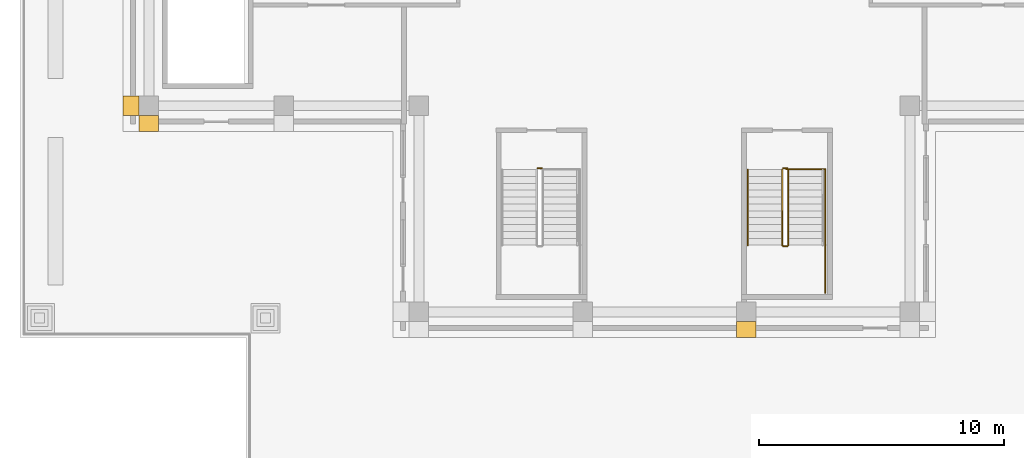
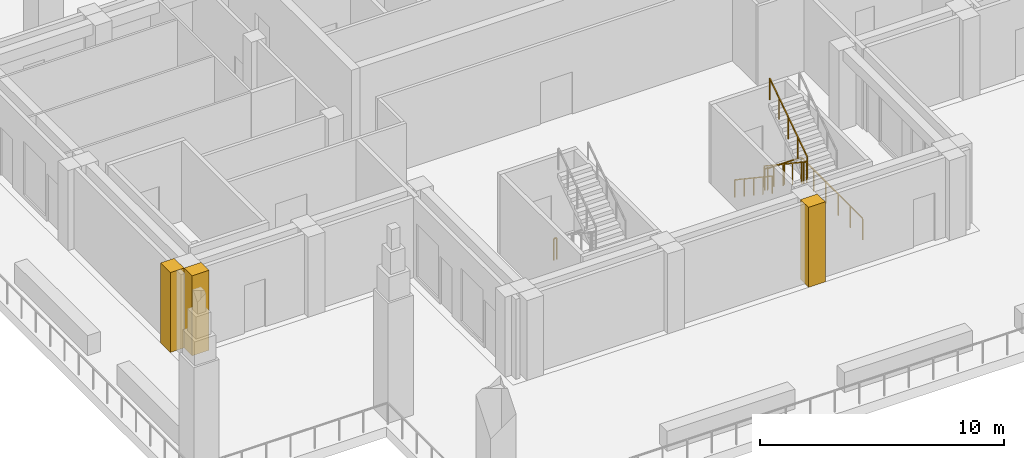
# One storey, part 7 of 10: 6 railings, 3 coverings.
"""IFC4 building model written with IfcOpenShell, lengths in metres."""

from ifc_helpers import new_model, si_unit, direction, frame, origin, origin_2d, place, context, subcontext, project, spatial, polyline, rectangle, outline, extrude, material, type_object, element, save


model = new_model("IFC4")

# Units and contexts
model_context = context("Model", 3, precision=1e-05, world=origin(), true_north=direction((0.0, 1.0)))
body_context = subcontext(model_context, "Body", "Model", "MODEL_VIEW")
ifc_project = project(units=[si_unit("LENGTHUNIT", "METRE"), si_unit("AREAUNIT", "SQUARE_METRE"), si_unit("VOLUMEUNIT", "CUBIC_METRE"), si_unit("PLANEANGLEUNIT", "RADIAN"), si_unit("MASSUNIT", "GRAM", prefix="KILO")], contexts=[model_context])

# Site, building, storey
site_placement = place(None, origin())
site = spatial("IfcSite", under=ifc_project, at=site_placement, CompositionType="ELEMENT")
building_placement = place(site_placement, origin())
building = spatial("IfcBuilding", under=site, at=building_placement, Name="Vermilion Ogive Tower", CompositionType="ELEMENT")
storey_placement = place(building_placement, frame((0.0, 0.0, 269.35009765625)))
storey = spatial("IfcBuildingStorey", under=building, at=storey_placement, Name="L71", CompositionType="ELEMENT", Elevation=269.35009765625)

# Railings
ifc_material_1 = material(Name="Steel S355 painted", Category="steel")
railing_type_1 = type_object("IfcRailingType", Name="Stair guard 1100", PredefinedType="GUARDRAIL", material=ifc_material_1)
railing_1_placement = place(storey_placement, frame((4.800048828125, -6.800048828125, 0.1875)))
element("IfcRailing", 1, at=railing_1_placement, inside=storey, type_object=railing_type_1, Name="L71 ST6 stair guard 1", PredefinedType="GUARDRAIL", context=body_context, shape_type="SweptSolid", body=[
    extrude(rectangle(XDim=0.048095703125, YDim=0.048095703125, at=origin_2d()), frame((0.0, 0.0, 1.076171875), z_axis=(0.0, -0.830893310487, 0.556431762742), x_axis=(1.0, 0.0, 0.0)), (0.0, 0.0, 1.0), 3.70654296875),
    extrude(rectangle(XDim=0.048095703125, YDim=0.048095703125, at=origin_2d()), frame((0.0, -3.079833984375, 3.138671875), z_axis=(0.707106781187, -0.707106781187, 0.0), x_axis=(0.707106781187, 0.707106781187, 0.0)), (0.0, 0.0, 1.0), 0.07080078125),
    extrude(rectangle(XDim=0.048095703125, YDim=0.048095703125, at=origin_2d()), frame((0.050048828125, -3.1298828125, 3.138671875), z_axis=(1.0, 0.0, 0.0), x_axis=(0.0, 1.0, 0.0)), (0.0, 0.0, 1.0), 0.14990234375),
    extrude(rectangle(XDim=0.0419921875, YDim=0.0419921875, at=origin_2d()), origin(), (0.0, 0.0, 1.0), 1.052001953125),
    extrude(rectangle(XDim=0.0419921875, YDim=0.0419921875, at=origin_2d()), frame((0.0, -0.77001953125, 0.515625)), (0.0, 0.0, 1.0), 1.052001953125),
    extrude(rectangle(XDim=0.0419921875, YDim=0.0419921875, at=origin_2d()), frame((0.0, -1.5400390625, 1.03125)), (0.0, 0.0, 1.0), 1.052001953125),
    extrude(rectangle(XDim=0.0419921875, YDim=0.0419921875, at=origin_2d()), frame((0.0, -2.309814453125, 1.546875)), (0.0, 0.0, 1.0), 1.052001953125),
    extrude(rectangle(XDim=0.0419921875, YDim=0.0419921875, at=origin_2d()), frame((0.0, -3.079833984375, 2.0625)), (0.0, 0.0, 1.0), 1.052001953125),
    extrude(rectangle(XDim=0.0419921875, YDim=0.0419921875, at=origin_2d()), frame((0.050048828125, -3.1298828125, 2.0625)), (0.0, 0.0, 1.0), 1.052001953125),
    extrude(rectangle(XDim=0.0419921875, YDim=0.0419921875, at=origin_2d()), frame((0.199951171875, -3.1298828125, 2.0625)), (0.0, 0.0, 1.0), 1.052001953125),
])
railing_2_placement = place(storey_placement, frame((5.050048828125, -9.8798828125, 2.4375)))
element("IfcRailing", 2, at=railing_2_placement, inside=storey, type_object=railing_type_1, Name="L71 ST6 stair guard 3", PredefinedType="GUARDRAIL", context=body_context, shape_type="SweptSolid", body=[
    extrude(rectangle(XDim=0.048095703125, YDim=0.048095703125, at=origin_2d()), frame((0.0, 0.0, 1.076171875), z_axis=(0.0, 0.830893310487, 0.556431762742), x_axis=(-1.0, 0.0, 0.0)), (0.0, 0.0, 1.0), 3.70654296875),
    extrude(rectangle(XDim=0.0419921875, YDim=0.0419921875, at=origin_2d()), origin(), (0.0, 0.0, 1.0), 1.052001953125),
    extrude(rectangle(XDim=0.0419921875, YDim=0.0419921875, at=origin_2d()), frame((0.0, 0.77001953125, 0.515625)), (0.0, 0.0, 1.0), 1.052001953125),
    extrude(rectangle(XDim=0.0419921875, YDim=0.0419921875, at=origin_2d()), frame((0.0, 1.5400390625, 1.03125)), (0.0, 0.0, 1.0), 1.052001953125),
    extrude(rectangle(XDim=0.0419921875, YDim=0.0419921875, at=origin_2d()), frame((0.0, 2.309814453125, 1.546875)), (0.0, 0.0, 1.0), 1.052001953125),
    extrude(rectangle(XDim=0.0419921875, YDim=0.0419921875, at=origin_2d()), frame((0.0, 3.079833984375, 2.0625)), (0.0, 0.0, 1.0), 1.052001953125),
])
for number, where, name in (
    (3, (4.85009765625, -6.75, 0.0), "L71 ST6 stair guard 4"),
    (4, (-5.14990234375, -6.75, 0.0), "L71 ST7 stair guard 4"),
):
    element("IfcRailing", number, at=place(storey_placement, frame(where)), inside=storey, type_object=railing_type_1, Name=name, PredefinedType="GUARDRAIL", context=body_context, shape_type="SweptSolid", body=[
        extrude(rectangle(XDim=0.048095703125, YDim=0.048095703125, at=origin_2d()), frame((0.0, 0.0, 1.076171875), z_axis=(1.0, 0.0, 0.0), x_axis=(0.0, 1.0, 0.0)), (0.0, 0.0, 1.0), 0.14990234375),
        extrude(rectangle(XDim=0.0419921875, YDim=0.0419921875, at=origin_2d()), origin(), (0.0, 0.0, 1.0), 1.052001953125),
        extrude(rectangle(XDim=0.0419921875, YDim=0.0419921875, at=origin_2d()), frame((0.14990234375, 0.0, 0.0)), (0.0, 0.0, 1.0), 1.052001953125),
    ])
railing_3_placement = place(storey_placement, frame((4.957275390625, -6.7822265625, 0.0)))
element("IfcRailing", 5, at=railing_3_placement, inside=storey, type_object=railing_type_1, Name="L71 stair opening guard", PredefinedType="GUARDRAIL", context=body_context, shape_type="SweptSolid", body=[
    extrude(rectangle(XDim=0.048095703125, YDim=0.048095703125, at=origin_2d()), frame((0.0, 0.0, 1.076171875), z_axis=(1.0, 0.0, 0.0), x_axis=(0.0, 1.0, 0.0)), (0.0, 0.0, 1.0), 1.599365234375),
    extrude(rectangle(XDim=0.048095703125, YDim=0.048095703125, at=origin_2d()), frame((1.599365234375, 0.0, 1.076171875), z_axis=(0.0, -1.0, 0.0), x_axis=(1.0, 0.0, 0.0)), (0.0, 0.0, 1.0), 5.03955078125),
    extrude(rectangle(XDim=0.0419921875, YDim=0.0419921875, at=origin_2d()), origin(), (0.0, 0.0, 1.0), 1.052001953125),
    extrude(rectangle(XDim=0.0419921875, YDim=0.0419921875, at=origin_2d()), frame((0.7998046875, 0.0, 0.0)), (0.0, 0.0, 1.0), 1.052001953125),
    extrude(rectangle(XDim=0.0419921875, YDim=0.0419921875, at=origin_2d()), frame((1.599365234375, 0.0, 0.0)), (0.0, 0.0, 1.0), 1.052001953125),
    extrude(rectangle(XDim=0.0419921875, YDim=0.0419921875, at=origin_2d()), frame((1.599365234375, -1.0078125, 0.0)), (0.0, 0.0, 1.0), 1.052001953125),
    extrude(rectangle(XDim=0.0419921875, YDim=0.0419921875, at=origin_2d()), frame((1.599365234375, -2.015869140625, 0.0)), (0.0, 0.0, 1.0), 1.052001953125),
    extrude(rectangle(XDim=0.0419921875, YDim=0.0419921875, at=origin_2d()), frame((1.599365234375, -3.023681640625, 0.0)), (0.0, 0.0, 1.0), 1.052001953125),
    extrude(rectangle(XDim=0.0419921875, YDim=0.0419921875, at=origin_2d()), frame((1.599365234375, -4.03173828125, 0.0)), (0.0, 0.0, 1.0), 1.052001953125),
    extrude(rectangle(XDim=0.0419921875, YDim=0.0419921875, at=origin_2d()), frame((1.599365234375, -5.03955078125, 0.0)), (0.0, 0.0, 1.0), 1.052001953125),
])
ifc_material_2 = material(Name="Stainless steel", Category="steel")
railing_type_2 = type_object("IfcRailingType", Name="Stair handrail 900", PredefinedType="HANDRAIL", material=ifc_material_2)
railing_4_placement = place(storey_placement, frame((3.39990234375, -6.800048828125, 0.1875)))
element("IfcRailing", 6, at=railing_4_placement, inside=storey, type_object=railing_type_2, Name="L71 ST6 stair handrail 1", PredefinedType="HANDRAIL", context=body_context, shape_type="SweptSolid", body=[
    extrude(rectangle(XDim=0.048095703125, YDim=0.048095703125, at=origin_2d()), frame((0.0, 0.0, 0.8759765625), z_axis=(0.0, -0.830893310487, 0.556431762742), x_axis=(1.0, 0.0, 0.0)), (0.0, 0.0, 1.0), 3.70654296875),
    extrude(rectangle(XDim=0.0419921875, YDim=0.0419921875, at=origin_2d()), origin(), (0.0, 0.0, 1.0), 0.851806640625),
    extrude(rectangle(XDim=0.0419921875, YDim=0.0419921875, at=origin_2d()), frame((0.0, -0.77001953125, 0.515625)), (0.0, 0.0, 1.0), 0.851806640625),
    extrude(rectangle(XDim=0.0419921875, YDim=0.0419921875, at=origin_2d()), frame((0.0, -1.5400390625, 1.03125)), (0.0, 0.0, 1.0), 0.851806640625),
    extrude(rectangle(XDim=0.0419921875, YDim=0.0419921875, at=origin_2d()), frame((0.0, -2.309814453125, 1.546875)), (0.0, 0.0, 1.0), 0.851806640625),
    extrude(rectangle(XDim=0.0419921875, YDim=0.0419921875, at=origin_2d()), frame((0.0, -3.079833984375, 2.0625)), (0.0, 0.0, 1.0), 0.851806640625),
])

# Coverings
ifc_material_3 = material(Name="Stone cladding", Category="masonry")
covering_type = type_object("IfcCoveringType", Name="Stone pier", PredefinedType="CLADDING", material=ifc_material_3)
covering_1_placement = place(storey_placement, origin())
element("IfcCovering", 7, at=covering_1_placement, inside=storey, type_object=covering_type, Name="Stone pier P+0033-126", PredefinedType="CLADDING", context=body_context, shape_type="SweptSolid", body=[
    extrude(outline(polyline([(3.7333984375, -13.0), (3.7333984375, -13.64990234375), (2.933349609375, -13.64990234375), (2.933349609375, -13.0), (2.933349609375, -13.0), (3.7333984375, -13.0)])), origin(), (0.0, 0.0, 1.0), 4.0),
])
covering_2_placement = place(storey_placement, origin())
element("IfcCovering", 8, at=covering_2_placement, inside=storey, type_object=covering_type, Name="Stone pier P-0210-042W", PredefinedType="CLADDING", context=body_context, shape_type="SweptSolid", body=[
    extrude(outline(polyline([(-22.050048828125, -4.60009765625), (-22.050048828125, -3.800048828125), (-21.39990234375, -3.800048828125), (-21.39990234375, -4.60009765625), (-22.050048828125, -4.60009765625)])), origin(), (0.0, 0.0, 1.0), 4.0),
])
covering_3_placement = place(storey_placement, origin())
element("IfcCovering", 9, at=covering_3_placement, inside=storey, type_object=covering_type, Name="Stone pier P-0210-042X7", PredefinedType="CLADDING", context=body_context, shape_type="SweptSolid", body=[
    extrude(outline(polyline([(-21.39990234375, -5.25), (-21.39990234375, -4.60009765625), (-20.60009765625, -4.60009765625), (-20.60009765625, -5.25), (-21.39990234375, -5.25)])), origin(), (0.0, 0.0, 1.0), 4.0),
])

save(model, "model.ifc")
